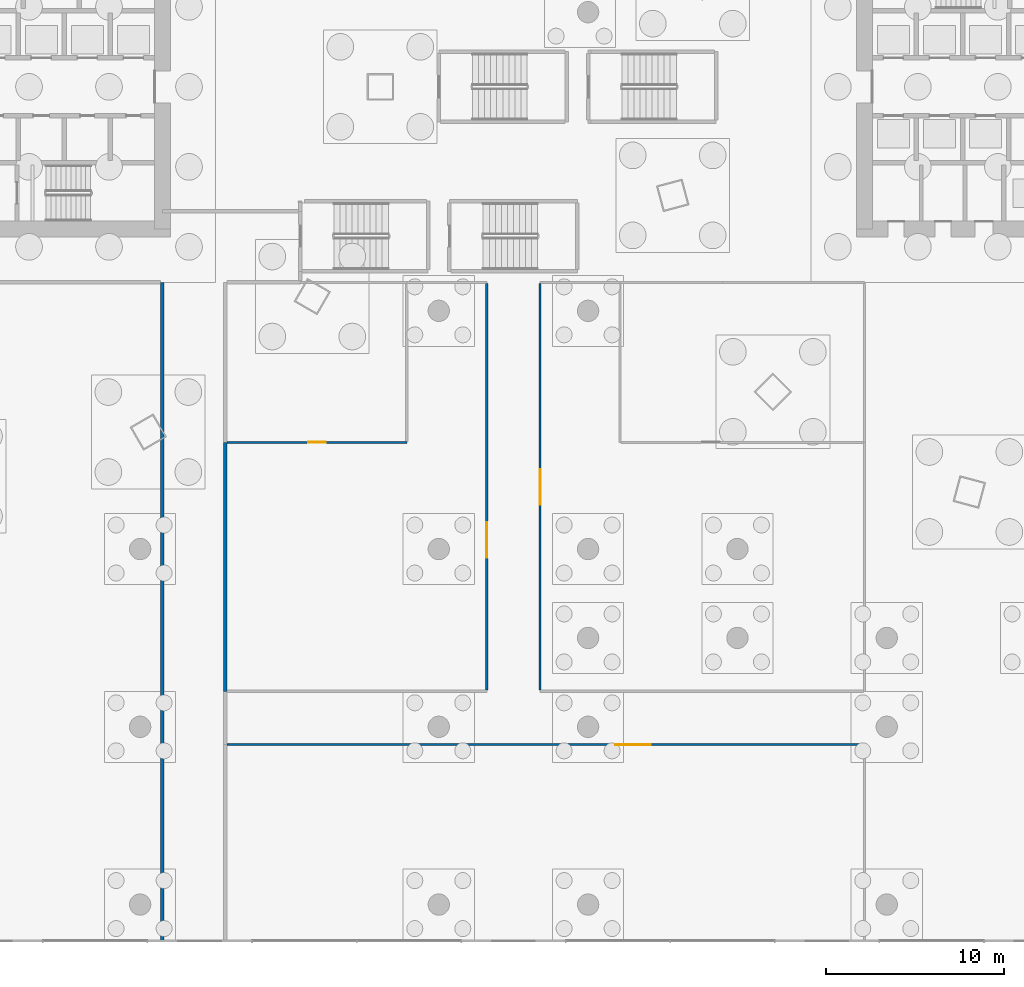
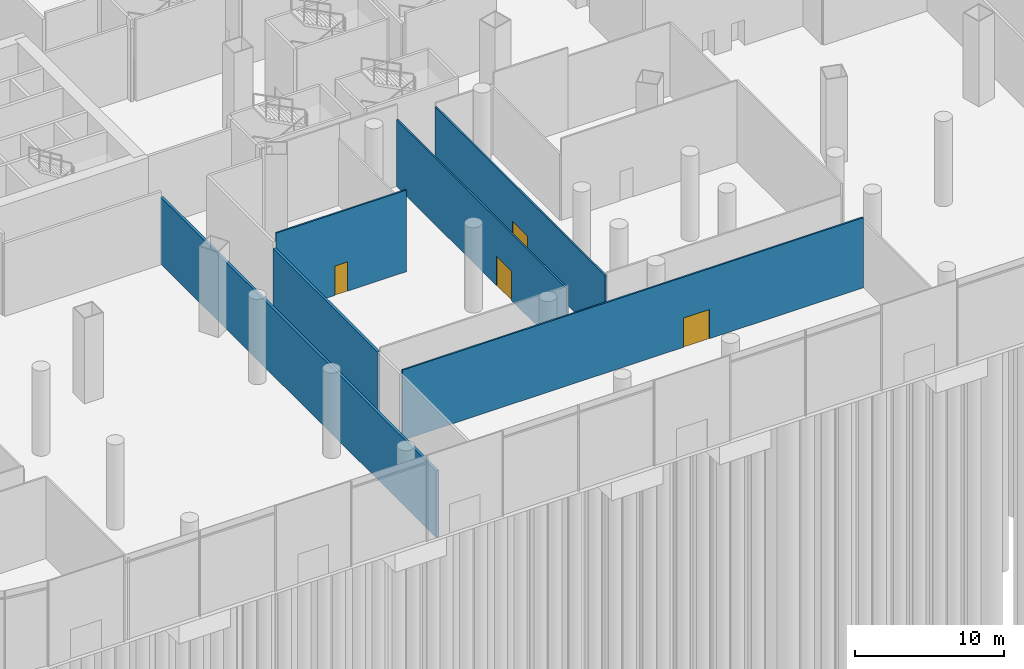
# One storey, part 24 of 41: 6 walls, 4 doors, 4 openings.
"""IFC4 building model written with IfcOpenShell, lengths in metres."""

from ifc_helpers import new_model, si_unit, direction, frame, frame_2d, origin, place, context, subcontext, project, spatial, rectangle, extrude, material, layer, layer_set, type_object, element, fill, save


model = new_model("IFC4")

# Units and contexts
model_context = context("Model", 3, precision=1e-05, world=origin(), true_north=direction((0.0, 1.0)))
body_context = subcontext(model_context, "Body", "Model", "MODEL_VIEW")
ifc_project = project(units=[si_unit("LENGTHUNIT", "METRE"), si_unit("AREAUNIT", "SQUARE_METRE"), si_unit("VOLUMEUNIT", "CUBIC_METRE"), si_unit("PLANEANGLEUNIT", "RADIAN"), si_unit("MASSUNIT", "GRAM", prefix="KILO")], contexts=[model_context])

# Site, building, storey
site_placement = place(None, origin())
site = spatial("IfcSite", under=ifc_project, at=site_placement, CompositionType="ELEMENT")
building_placement = place(site_placement, origin())
building = spatial("IfcBuilding", under=site, at=building_placement, Name="Rimbun Link Towers", CompositionType="ELEMENT")
storey_placement = place(building_placement, origin())
storey = spatial("IfcBuildingStorey", under=building, at=storey_placement, Name="L00", CompositionType="ELEMENT", Elevation=0.0)

# Walls
ifc_material_1 = material(Name="Concrete blockwork", Category="masonry")
ifc_layer_1 = layer(ifc_material_1, 0.199951171875)
ifc_layer_set_1 = layer_set([ifc_layer_1], Name="Fire partition 200 blockwork")
wall_type_1 = type_object("IfcWallType", Name="Fire partition 200 blockwork", PredefinedType="PARTITIONING", material=ifc_layer_set_1)
wall_1_placement = place(storey_placement, frame((-19.75, -11.0, 0.0), z_axis=(0.0, 0.0, 1.0), x_axis=(0.0, -1.0, 0.0)))
element("IfcWall", 1, at=wall_1_placement, inside=storey, type_object=wall_type_1, Name="PD/PW/L00/029", PredefinedType="PARTITIONING", context=body_context, shape_type="SweptSolid", body=[
    extrude(rectangle(XDim=37.080078125, YDim=0.199951171875, at=frame_2d((18.5400390625, 0.0))), origin(), (0.0, 0.0, 1.0), 5.47998046875),
])
wall_2_placement = place(storey_placement, frame((-16.199951171875, -34.0, 0.0), z_axis=(0.0, 0.0, 1.0), x_axis=(0.0, 1.0, 0.0)))
element("IfcWall", 2, at=wall_2_placement, inside=storey, type_object=wall_type_1, Name="PD/PW/L00/035", PredefinedType="PARTITIONING", context=body_context, shape_type="SweptSolid", body=[
    extrude(rectangle(XDim=14.0, YDim=0.199951171875, at=frame_2d((7.0, 0.0))), origin(), (0.0, 0.0, 1.0), 5.47998046875),
])

# Wall, opening, door
ifc_material_2 = material(Name="Gypsum board on steel studs", Category="steel")
ifc_layer_2 = layer(ifc_material_2, 0.125)
ifc_layer_set_2 = layer_set([ifc_layer_2], Name="Partition 125 board on studs")
wall_type_2 = type_object("IfcWallType", Name="Partition 125 board on studs", PredefinedType="PARTITIONING", material=ifc_layer_set_2)
wall_3_placement = place(storey_placement, frame((-16.10009765625, -37.0, 0.0), z_axis=(0.0, 0.0, 1.0), x_axis=(1.0, 0.0, 0.0)))
wall_3 = element("IfcWall", 3, at=wall_3_placement, inside=storey, type_object=wall_type_2, Name="PD/PW/L00/092", PredefinedType="PARTITIONING", context=body_context, shape_type="SweptSolid", body=[
    extrude(rectangle(XDim=35.78759765625, YDim=0.125, at=frame_2d((17.893798828125, 0.0))), origin(), (0.0, 0.0, 1.0), 5.761962890625),
])
opening_1_placement = place(wall_3_placement, frame((21.826904296875, 0.0, 0.0)))
opening_1 = element("IfcOpeningElement", 4, at=opening_1_placement, cuts=wall_3, Name="Opening PD D00.05", PredefinedType="OPENING", context=body_context, shape_type="SweptSolid", body=[
    extrude(rectangle(XDim=2.0, YDim=2.39990234375, at=frame_2d((1.0, 1.199951171875))), frame((0.0, 0.072509765625, 0.0), z_axis=(0.0, -1.0, 0.0), x_axis=(1.0, 0.0, 0.0)), (0.0, 0.0, 1.0), 0.14501953125),
])
ifc_material_3 = material(Name="Timber door set", Category="wood")
door_type_1 = type_object("IfcDoorType", Name="Hall door double leaf 2000 x 2400", OperationType="NOTDEFINED", PredefinedType="DOOR", material=ifc_material_3)
door_1_placement = place(opening_1_placement, origin())
door_1 = element("IfcDoor", 5, at=door_1_placement, inside=storey, type_object=door_type_1, Name="PD/DR/L00/005", OperationType="DOUBLE_DOOR_SINGLE_SWING", OverallHeight=2.39990234375, OverallWidth=2.0, PredefinedType="DOOR", context=body_context, shape_type="SweptSolid", body=[
    extrude(rectangle(XDim=2.0, YDim=2.39990234375, at=frame_2d((1.0, 1.199951171875))), frame((0.0, 0.02490234375, 0.0), z_axis=(0.0, -1.0, 0.0), x_axis=(1.0, 0.0, 0.0)), (0.0, 0.0, 1.0), 0.050048828125),
])
fill(opening_1, door_1)

wall_4_placement = place(storey_placement, frame((-1.5, -11.0625, 0.0), z_axis=(0.0, 0.0, 1.0), x_axis=(0.0, -1.0, 0.0)))
wall_4 = element("IfcWall", 6, at=wall_4_placement, inside=storey, type_object=wall_type_2, Name="PD/PW/L00/099", PredefinedType="PARTITIONING", context=body_context, shape_type="SweptSolid", body=[
    extrude(rectangle(XDim=22.875, YDim=0.125, at=frame_2d((11.4375, 0.0))), origin(), (0.0, 0.0, 1.0), 5.47998046875),
])
opening_2_placement = place(wall_4_placement, frame((13.43408203125, 0.0, 0.0)))
opening_2 = element("IfcOpeningElement", 7, at=opening_2_placement, cuts=wall_4, Name="Opening PD D00.03", PredefinedType="OPENING", context=body_context, shape_type="SweptSolid", body=[
    extrude(rectangle(XDim=2.0, YDim=2.39990234375, at=frame_2d((1.0, 1.199951171875))), frame((0.0, 0.072509765625, 0.0), z_axis=(0.0, -1.0, 0.0), x_axis=(1.0, 0.0, 0.0)), (0.0, 0.0, 1.0), 0.14501953125),
])
door_2_placement = place(opening_2_placement, origin())
door_2 = element("IfcDoor", 8, at=door_2_placement, inside=storey, type_object=door_type_1, Name="PD/DR/L00/003", OperationType="DOUBLE_DOOR_SINGLE_SWING", OverallHeight=2.39990234375, OverallWidth=2.0, PredefinedType="DOOR", context=body_context, shape_type="SweptSolid", body=[
    extrude(rectangle(XDim=2.0, YDim=2.39990234375, at=frame_2d((1.0, 1.199951171875))), frame((0.0, 0.02490234375, 0.0), z_axis=(0.0, -1.0, 0.0), x_axis=(1.0, 0.0, 0.0)), (0.0, 0.0, 1.0), 0.050048828125),
])
fill(opening_2, door_2)

wall_5_placement = place(storey_placement, frame((1.5, -33.9375, 0.0), z_axis=(0.0, 0.0, 1.0), x_axis=(0.0, 1.0, 0.0)))
wall_5 = element("IfcWall", 9, at=wall_5_placement, inside=storey, type_object=wall_type_2, Name="PD/PW/L00/100", PredefinedType="PARTITIONING", context=body_context, shape_type="SweptSolid", body=[
    extrude(rectangle(XDim=22.875, YDim=0.125, at=frame_2d((11.4375, 0.0))), origin(), (0.0, 0.0, 1.0), 5.47998046875),
])
opening_3_placement = place(wall_5_placement, frame((10.43798828125, 0.0, 0.0)))
opening_3 = element("IfcOpeningElement", 10, at=opening_3_placement, cuts=wall_5, Name="Opening PD D00.04", PredefinedType="OPENING", context=body_context, shape_type="SweptSolid", body=[
    extrude(rectangle(XDim=2.0, YDim=2.39990234375, at=frame_2d((1.0, 1.199951171875))), frame((0.0, 0.072509765625, 0.0), z_axis=(0.0, -1.0, 0.0), x_axis=(1.0, 0.0, 0.0)), (0.0, 0.0, 1.0), 0.14501953125),
])
door_3_placement = place(opening_3_placement, origin())
door_3 = element("IfcDoor", 11, at=door_3_placement, inside=storey, type_object=door_type_1, Name="PD/DR/L00/004", OperationType="DOUBLE_DOOR_SINGLE_SWING", OverallHeight=2.39990234375, OverallWidth=2.0, PredefinedType="DOOR", context=body_context, shape_type="SweptSolid", body=[
    extrude(rectangle(XDim=2.0, YDim=2.39990234375, at=frame_2d((1.0, 1.199951171875))), frame((0.0, 0.02490234375, 0.0), z_axis=(0.0, -1.0, 0.0), x_axis=(1.0, 0.0, 0.0)), (0.0, 0.0, 1.0), 0.050048828125),
])
fill(opening_3, door_3)

wall_6_placement = place(storey_placement, frame((-16.10009765625, -20.0, 0.0), z_axis=(0.0, 0.0, 1.0), x_axis=(1.0, 0.0, 0.0)))
wall_6 = element("IfcWall", 12, at=wall_6_placement, inside=storey, type_object=wall_type_2, Name="PD/PW/L00/103", PredefinedType="PARTITIONING", context=body_context, shape_type="SweptSolid", body=[
    extrude(rectangle(XDim=10.10009765625, YDim=0.125, at=frame_2d((5.050048828125, 0.0))), origin(), (0.0, 0.0, 1.0), 6.699951171875),
])
opening_4_placement = place(wall_6_placement, frame((4.550048828125, 0.0, 0.0)))
opening_4 = element("IfcOpeningElement", 13, at=opening_4_placement, cuts=wall_6, Name="Opening PD D00.01", PredefinedType="OPENING", context=body_context, shape_type="SweptSolid", body=[
    extrude(rectangle(XDim=1.0, YDim=2.39990234375, at=frame_2d((0.5, 1.199951171875))), frame((0.0, 0.072509765625, 0.0), z_axis=(0.0, -1.0, 0.0), x_axis=(1.0, 0.0, 0.0)), (0.0, 0.0, 1.0), 0.14501953125),
])
ifc_material_4 = material(Name="Timber door set", Category="wood")
door_type_2 = type_object("IfcDoorType", Name="Hall door single leaf 1000 x 2400", OperationType="NOTDEFINED", PredefinedType="DOOR", material=ifc_material_4)
door_4_placement = place(opening_4_placement, origin())
door_4 = element("IfcDoor", 14, at=door_4_placement, inside=storey, type_object=door_type_2, Name="PD/DR/L00/001", OperationType="SINGLE_SWING_RIGHT", OverallHeight=2.39990234375, OverallWidth=1.0, PredefinedType="DOOR", context=body_context, shape_type="SweptSolid", body=[
    extrude(rectangle(XDim=1.0, YDim=2.39990234375, at=frame_2d((0.5, 1.199951171875))), frame((0.0, 0.02490234375, 0.0), z_axis=(0.0, -1.0, 0.0), x_axis=(1.0, 0.0, 0.0)), (0.0, 0.0, 1.0), 0.050048828125),
])
fill(opening_4, door_4)

save(model, "model.ifc")
